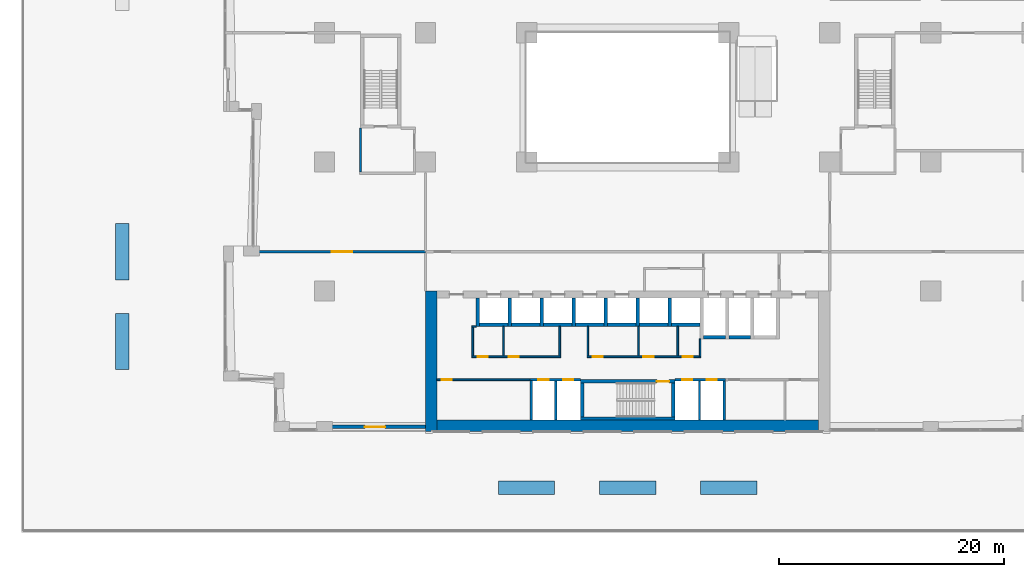
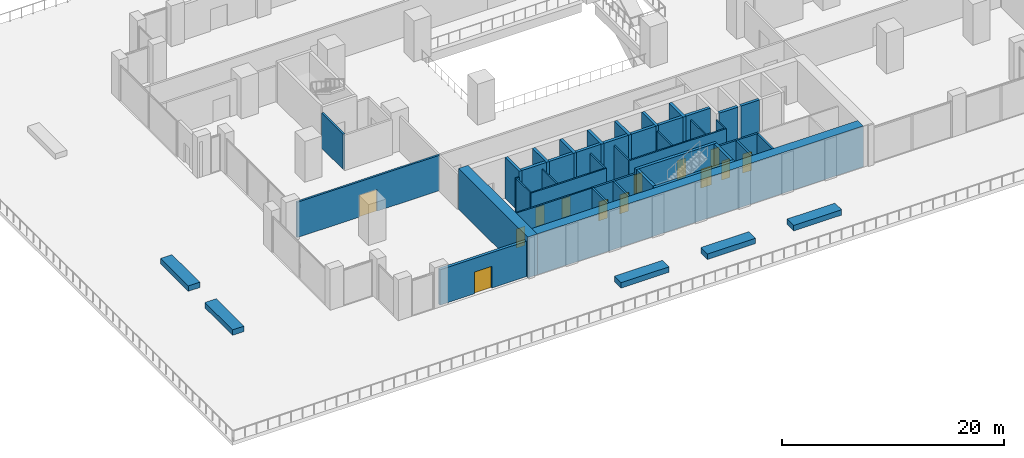
# One storey, part 12 of 19: 47 walls, 13 doors, 13 openings.
"""IFC4 building model written with IfcOpenShell, lengths in metres."""

from ifc_helpers import new_model, si_unit, direction, frame, frame_2d, origin, place, context, subcontext, project, spatial, rectangle, extrude, material, layer, layer_set, type_object, element, fill, save


model = new_model("IFC4")

# Units and contexts
model_context = context("Model", 3, precision=1e-05, world=origin(), true_north=direction((0.0, 1.0)))
body_context = subcontext(model_context, "Body", "Model", "MODEL_VIEW")
ifc_project = project(units=[si_unit("LENGTHUNIT", "METRE"), si_unit("AREAUNIT", "SQUARE_METRE"), si_unit("VOLUMEUNIT", "CUBIC_METRE"), si_unit("PLANEANGLEUNIT", "RADIAN"), si_unit("MASSUNIT", "GRAM", prefix="KILO")], contexts=[model_context])

# Site, building, storey
site_placement = place(None, origin())
site = spatial("IfcSite", under=ifc_project, at=site_placement, CompositionType="ELEMENT")
building_placement = place(site_placement, origin())
building = spatial("IfcBuilding", under=site, at=building_placement, Name="Brigalow Station Residences", CompositionType="ELEMENT")
storey_placement = place(building_placement, frame((0.0, 0.0, 11.0)))
storey = spatial("IfcBuildingStorey", under=building, at=storey_placement, Name="L02", CompositionType="ELEMENT", Elevation=11.0)

# Walls
ifc_material_1 = material(Name="Concrete C80", Category="concrete")
ifc_layer_1 = layer(ifc_material_1, 1.0)
ifc_layer_set_1 = layer_set([ifc_layer_1], Name="CORE SHEAR WALL 1000 C80")
wall_type_1 = type_object("IfcWallType", Name="CORE SHEAR WALL 1000 C80", PredefinedType="SHEAR", material=ifc_layer_set_1)
wall_1_placement = place(storey_placement, frame((18.5, 0.0, 0.0), z_axis=(0.0, 0.0, 1.0), x_axis=(0.0, 1.0, 0.0)))
element("IfcWall", 1, at=wall_1_placement, inside=storey, type_object=wall_type_1, Name="CORE WALL OUT-W L02", PredefinedType="SHEAR", context=body_context, shape_type="SweptSolid", body=[
    extrude(rectangle(XDim=12.5, YDim=1.0, at=frame_2d((6.25, 0.0))), origin(), (0.0, 0.0, 1.0), 4.5),
])
wall_2_placement = place(storey_placement, frame((19.0, 0.5, 0.0), z_axis=(0.0, 0.0, 1.0), x_axis=(1.0, 0.0, 0.0)))
element("IfcWall", 2, at=wall_2_placement, inside=storey, type_object=wall_type_1, Name="CORE WALL OUT-S L02", PredefinedType="SHEAR", context=body_context, shape_type="SweptSolid", body=[
    extrude(rectangle(XDim=34.0, YDim=1.0, at=frame_2d((17.0, 0.0))), origin(), (0.0, 0.0, 1.0), 4.5),
])
ifc_material_2 = material(Name="Concrete C80", Category="concrete")
ifc_layer_2 = layer(ifc_material_2, 0.300048828125)
ifc_layer_set_2 = layer_set([ifc_layer_2], Name="CORE SHEAR WALL 300 C80")
wall_type_2 = type_object("IfcWallType", Name="CORE SHEAR WALL 300 C80", PredefinedType="SHEAR", material=ifc_layer_set_2)
wall_3_placement = place(storey_placement, frame((22.800048828125, 9.5, 0.0), z_axis=(0.0, 0.0, 1.0), x_axis=(1.0, 0.0, 0.0)))
element("IfcWall", 3, at=wall_3_placement, inside=storey, type_object=wall_type_2, Name="CORE WALL SH-P1-S L02", PredefinedType="SHEAR", context=body_context, shape_type="SweptSolid", body=[
    extrude(rectangle(XDim=2.550048828125, YDim=0.300048828125, at=frame_2d((1.27490234375, 0.0))), origin(), (0.0, 0.0, 1.0), 4.5),
])
wall_4_placement = place(storey_placement, frame((22.64990234375, 9.35009765625, 0.0), z_axis=(0.0, 0.0, 1.0), x_axis=(0.0, 1.0, 0.0)))
element("IfcWall", 4, at=wall_4_placement, inside=storey, type_object=wall_type_2, Name="CORE WALL SH-P1-W L02", PredefinedType="SHEAR", context=body_context, shape_type="SweptSolid", body=[
    extrude(rectangle(XDim=2.5498046875, YDim=0.300048828125, at=frame_2d((1.27490234375, 0.0))), origin(), (0.0, 0.0, 1.0), 4.5),
])
wall_5_placement = place(storey_placement, frame((25.64990234375, 9.5, 0.0), z_axis=(0.0, 0.0, 1.0), x_axis=(1.0, 0.0, 0.0)))
element("IfcWall", 5, at=wall_5_placement, inside=storey, type_object=wall_type_2, Name="CORE WALL SH-P2-S L02", PredefinedType="SHEAR", context=body_context, shape_type="SweptSolid", body=[
    extrude(rectangle(XDim=2.550048828125, YDim=0.300048828125, at=frame_2d((1.27490234375, 0.0))), origin(), (0.0, 0.0, 1.0), 4.5),
])
wall_6_placement = place(storey_placement, frame((25.5, 9.35009765625, 0.0), z_axis=(0.0, 0.0, 1.0), x_axis=(0.0, 1.0, 0.0)))
element("IfcWall", 6, at=wall_6_placement, inside=storey, type_object=wall_type_2, Name="CORE WALL SH-P2-W L02", PredefinedType="SHEAR", context=body_context, shape_type="SweptSolid", body=[
    extrude(rectangle(XDim=2.5498046875, YDim=0.300048828125, at=frame_2d((1.27490234375, 0.0))), origin(), (0.0, 0.0, 1.0), 4.5),
])
wall_7_placement = place(storey_placement, frame((28.5, 9.5, 0.0), z_axis=(0.0, 0.0, 1.0), x_axis=(1.0, 0.0, 0.0)))
element("IfcWall", 7, at=wall_7_placement, inside=storey, type_object=wall_type_2, Name="CORE WALL SH-P3-S L02", PredefinedType="SHEAR", context=body_context, shape_type="SweptSolid", body=[
    extrude(rectangle(XDim=2.550048828125, YDim=0.300048828125, at=frame_2d((1.27490234375, 0.0))), origin(), (0.0, 0.0, 1.0), 4.5),
])
for number, where, z_axis, x_axis, name in (
    (8, (28.35009765625, 9.35009765625, 0.0), (0.0, 0.0, 1.0), (0.0, 1.0, 0.0), "CORE WALL SH-P3-W L02"),
    (9, (31.35009765625, 9.5, 0.0), (0.0, 0.0, 1.0), (1.0, 0.0, 0.0), "CORE WALL SH-P4-S L02"),
    (10, (31.199951171875, 9.35009765625, 0.0), (0.0, 0.0, 1.0), (0.0, 1.0, 0.0), "CORE WALL SH-P4-W L02"),
):
    element("IfcWall", number, at=place(storey_placement, frame(where, z_axis=z_axis, x_axis=x_axis)), inside=storey, type_object=wall_type_2, Name=name, PredefinedType="SHEAR", context=body_context, shape_type="SweptSolid", body=[
        extrude(rectangle(XDim=2.5498046875, YDim=0.300048828125, at=frame_2d((1.27490234375, 0.0))), origin(), (0.0, 0.0, 1.0), 4.5),
    ])
wall_8_placement = place(storey_placement, frame((34.199951171875, 9.5, 0.0), z_axis=(0.0, 0.0, 1.0), x_axis=(1.0, 0.0, 0.0)))
element("IfcWall", 11, at=wall_8_placement, inside=storey, type_object=wall_type_2, Name="CORE WALL SH-P5-S L02", PredefinedType="SHEAR", context=body_context, shape_type="SweptSolid", body=[
    extrude(rectangle(XDim=2.550048828125, YDim=0.300048828125, at=frame_2d((1.27490234375, 0.0))), origin(), (0.0, 0.0, 1.0), 4.5),
])
wall_9_placement = place(storey_placement, frame((34.050048828125, 9.35009765625, 0.0), z_axis=(0.0, 0.0, 1.0), x_axis=(0.0, 1.0, 0.0)))
element("IfcWall", 12, at=wall_9_placement, inside=storey, type_object=wall_type_2, Name="CORE WALL SH-P5-W L02", PredefinedType="SHEAR", context=body_context, shape_type="SweptSolid", body=[
    extrude(rectangle(XDim=2.5498046875, YDim=0.300048828125, at=frame_2d((1.27490234375, 0.0))), origin(), (0.0, 0.0, 1.0), 4.5),
])
wall_10_placement = place(storey_placement, frame((37.050048828125, 9.5, 0.0), z_axis=(0.0, 0.0, 1.0), x_axis=(1.0, 0.0, 0.0)))
element("IfcWall", 13, at=wall_10_placement, inside=storey, type_object=wall_type_2, Name="CORE WALL SH-X1-S L02", PredefinedType="SHEAR", context=body_context, shape_type="SweptSolid", body=[
    extrude(rectangle(XDim=2.550048828125, YDim=0.300048828125, at=frame_2d((1.27490234375, 0.0))), origin(), (0.0, 0.0, 1.0), 4.5),
])
wall_11_placement = place(storey_placement, frame((36.89990234375, 9.35009765625, 0.0), z_axis=(0.0, 0.0, 1.0), x_axis=(0.0, 1.0, 0.0)))
element("IfcWall", 14, at=wall_11_placement, inside=storey, type_object=wall_type_2, Name="CORE WALL SH-X1-W L02", PredefinedType="SHEAR", context=body_context, shape_type="SweptSolid", body=[
    extrude(rectangle(XDim=2.5498046875, YDim=0.300048828125, at=frame_2d((1.27490234375, 0.0))), origin(), (0.0, 0.0, 1.0), 4.5),
])
wall_12_placement = place(storey_placement, frame((39.89990234375, 9.5, 0.0), z_axis=(0.0, 0.0, 1.0), x_axis=(1.0, 0.0, 0.0)))
element("IfcWall", 15, at=wall_12_placement, inside=storey, type_object=wall_type_2, Name="CORE WALL SH-X2-S L02", PredefinedType="SHEAR", context=body_context, shape_type="SweptSolid", body=[
    extrude(rectangle(XDim=2.550048828125, YDim=0.300048828125, at=frame_2d((1.27490234375, 0.0))), origin(), (0.0, 0.0, 1.0), 4.5),
])
wall_13_placement = place(storey_placement, frame((39.75, 9.35009765625, 0.0), z_axis=(0.0, 0.0, 1.0), x_axis=(0.0, 1.0, 0.0)))
element("IfcWall", 16, at=wall_13_placement, inside=storey, type_object=wall_type_2, Name="CORE WALL SH-X2-W L02", PredefinedType="SHEAR", context=body_context, shape_type="SweptSolid", body=[
    extrude(rectangle(XDim=2.5498046875, YDim=0.300048828125, at=frame_2d((1.27490234375, 0.0))), origin(), (0.0, 0.0, 1.0), 4.5),
])
for number, where, z_axis, x_axis, name in (
    (17, (42.75, 8.39990234375, 0.0), (0.0, 0.0, 1.0), (1.0, 0.0, 0.0), "CORE WALL SH-FF1-S L02"),
    (18, (45.0, 8.39990234375, 0.0), (0.0, 0.0, 1.0), (1.0, 0.0, 0.0), "CORE WALL SH-FF2-S L02"),
):
    element("IfcWall", number, at=place(storey_placement, frame(where, z_axis=z_axis, x_axis=x_axis)), inside=storey, type_object=wall_type_2, Name=name, PredefinedType="SHEAR", context=body_context, shape_type="SweptSolid", body=[
        extrude(rectangle(XDim=1.949951171875, YDim=0.300048828125, at=frame_2d((0.97509765625, 0.0))), origin(), (0.0, 0.0, 1.0), 4.5),
    ])
wall_14_placement = place(storey_placement, frame((31.800048828125, 1.14990234375, 0.0), z_axis=(0.0, 0.0, 1.0), x_axis=(1.0, 0.0, 0.0)))
element("IfcWall", 19, at=wall_14_placement, inside=storey, type_object=wall_type_2, Name="CORE WALL ST-S2-S L02", PredefinedType="SHEAR", context=body_context, shape_type="SweptSolid", body=[
    extrude(rectangle(XDim=8.39990234375, YDim=0.300048828125, at=frame_2d((4.199951171875, 0.0))), origin(), (0.0, 0.0, 1.0), 4.5),
])

# Wall, opening, door
wall_15_placement = place(storey_placement, frame((31.800048828125, 4.449951171875, 0.0), z_axis=(0.0, 0.0, 1.0), x_axis=(1.0, 0.0, 0.0)))
wall_15 = element("IfcWall", 20, at=wall_15_placement, inside=storey, type_object=wall_type_2, Name="CORE WALL ST-S2-N L02", PredefinedType="SHEAR", context=body_context, shape_type="SweptSolid", body=[
    extrude(rectangle(XDim=8.39990234375, YDim=0.300048828125, at=frame_2d((4.199951171875, 0.0))), origin(), (0.0, 0.0, 1.0), 4.5),
])
opening_1_placement = place(wall_15_placement, frame((6.800048828125, 0.0, 0.0)))
opening_1 = element("IfcOpeningElement", 21, at=opening_1_placement, cuts=wall_15, Name="Opening D-5001", PredefinedType="OPENING", context=body_context, shape_type="SweptSolid", body=[
    extrude(rectangle(XDim=1.10009765625, YDim=2.10009765625, at=frame_2d((0.550048828125, 1.050048828125))), frame((0.0, 0.16015625, 0.0), z_axis=(0.0, -1.0, 0.0), x_axis=(1.0, 0.0, 0.0)), (0.0, 0.0, 1.0), 0.320068359375),
])
ifc_material_3 = material(Name="Steel fire door leaf in steel frame", Category="steel")
door_type_1 = type_object("IfcDoorType", Name="STAIR DOOR 1100 x 2100 FD60S", OperationType="SINGLE_SWING_LEFT", PredefinedType="DOOR", material=ifc_material_3)
door_1_placement = place(opening_1_placement, frame((1.10009765625, 0.0, 0.0), z_axis=(0.0, 0.0, 1.0), x_axis=(-1.0, 0.0, 0.0)))
door_1 = element("IfcDoor", 22, at=door_1_placement, inside=storey, type_object=door_type_1, Name="D-5001", OperationType="SINGLE_SWING_LEFT", OverallHeight=2.10009765625, OverallWidth=1.10009765625, PredefinedType="DOOR", context=body_context, shape_type="SweptSolid", body=[
    extrude(rectangle(XDim=1.10009765625, YDim=2.10009765625, at=frame_2d((0.550048828125, 1.050048828125))), frame((0.0, 0.02490234375, 0.0), z_axis=(0.0, -1.0, 0.0), x_axis=(1.0, 0.0, 0.0)), (0.0, 0.0, 1.0), 0.050048828125),
])
fill(opening_1, door_1)

# Walls
for number, where, z_axis, x_axis, name in (
    (23, (31.949951171875, 1.300048828125, 0.0), (0.0, 0.0, 1.0), (0.0, 1.0, 0.0), "CORE WALL ST-S2-W L02"),
    (24, (40.050048828125, 1.300048828125, 0.0), (0.0, 0.0, 1.0), (0.0, 1.0, 0.0), "CORE WALL ST-S2-E L02"),
):
    element("IfcWall", number, at=place(storey_placement, frame(where, z_axis=z_axis, x_axis=x_axis)), inside=storey, type_object=wall_type_2, Name=name, PredefinedType="SHEAR", context=body_context, shape_type="SweptSolid", body=[
        extrude(rectangle(XDim=3.0, YDim=0.300048828125, at=frame_2d((1.5, 0.0))), origin(), (0.0, 0.0, 1.0), 4.5),
    ])

# Wall, opening, door
ifc_material_4 = material(Name="Glass and aluminium shopfront on a masonry base", Category="masonry")
ifc_layer_3 = layer(ifc_material_4, 0.300048828125)
ifc_layer_set_3 = layer_set([ifc_layer_3], Name="ENTRANCE INFILL 300")
wall_type_3 = type_object("IfcWallType", Name="ENTRANCE INFILL 300", PredefinedType="SOLIDWALL", material=ifc_layer_set_3)
wall_16_placement = place(storey_placement, frame((9.0, 0.39990234375, 0.0), z_axis=(0.0, 0.0, 1.0), x_axis=(1.0, 0.0, 0.0)))
wall_16 = element("IfcWall", 25, at=wall_16_placement, inside=storey, type_object=wall_type_3, Name="Entrance Infill 300 Spa / TERRACE", PredefinedType="SOLIDWALL", context=body_context, shape_type="SweptSolid", body=[
    extrude(rectangle(XDim=9.0, YDim=0.300048828125, at=frame_2d((4.5, 0.0))), origin(), (0.0, 0.0, 1.0), 3.89990234375),
])
opening_2_placement = place(wall_16_placement, frame((3.60009765625, 0.0, 0.0)))
opening_2 = element("IfcOpeningElement", 26, at=opening_2_placement, cuts=wall_16, Name="Opening D-7406", PredefinedType="OPENING", context=body_context, shape_type="SweptSolid", body=[
    extrude(rectangle(XDim=1.800048828125, YDim=2.39990234375, at=frame_2d((0.89990234375, 1.199951171875))), frame((0.0, 0.16015625, 0.0), z_axis=(0.0, -1.0, 0.0), x_axis=(1.0, 0.0, 0.0)), (0.0, 0.0, 1.0), 0.320068359375),
])
ifc_material_5 = material(Name="Timber door leaves in steel frame", Category="steel")
door_type_2 = type_object("IfcDoorType", Name="DOOR DOUBLE 1800", OperationType="DOUBLE_DOOR_SINGLE_SWING", PredefinedType="DOOR", material=ifc_material_5)
door_2_placement = place(opening_2_placement, origin())
door_2 = element("IfcDoor", 27, at=door_2_placement, inside=storey, type_object=door_type_2, Name="Spa terrace door", OperationType="DOUBLE_DOOR_SINGLE_SWING", OverallHeight=2.39990234375, OverallWidth=1.800048828125, PredefinedType="DOOR", context=body_context, shape_type="SweptSolid", body=[
    extrude(rectangle(XDim=1.800048828125, YDim=2.39990234375, at=frame_2d((0.89990234375, 1.199951171875))), frame((0.0, 0.02490234375, 0.0), z_axis=(0.0, -1.0, 0.0), x_axis=(1.0, 0.0, 0.0)), (0.0, 0.0, 1.0), 0.050048828125),
])
fill(opening_2, door_2)

# Wall, openings, doors
ifc_material_6 = material(Name="Concrete blockwork", Category="masonry")
ifc_layer_4 = layer(ifc_material_6, 0.199951171875)
ifc_layer_set_4 = layer_set([ifc_layer_4], Name="FIRE RATED CORE PARTITION 200")
wall_type_4 = type_object("IfcWallType", Name="FIRE RATED CORE PARTITION 200", PredefinedType="PARTITIONING", material=ifc_layer_set_4)
wall_17_placement = place(storey_placement, frame((27.300048828125, 4.60009765625, 0.0), z_axis=(0.0, 0.0, 1.0), x_axis=(1.0, 0.0, 0.0)))
wall_17 = element("IfcWall", 28, at=wall_17_placement, inside=storey, type_object=wall_type_4, Name="PW-5017", PredefinedType="PARTITIONING", context=body_context, shape_type="SweptSolid", body=[
    extrude(rectangle(XDim=4.5, YDim=0.199951171875, at=frame_2d((2.25, 0.0))), origin(), (0.0, 0.0, 1.0), 3.89990234375),
])
opening_3_placement = place(wall_17_placement, frame((0.75, 0.0, 0.0)))
opening_3 = element("IfcOpeningElement", 29, at=opening_3_placement, cuts=wall_17, Name="Opening D-5007", PredefinedType="OPENING", context=body_context, shape_type="SweptSolid", body=[
    extrude(rectangle(XDim=0.89990234375, YDim=2.10009765625, at=frame_2d((0.449951171875, 1.050048828125))), frame((0.0, 0.10986328125, 0.0), z_axis=(0.0, -1.0, 0.0), x_axis=(1.0, 0.0, 0.0)), (0.0, 0.0, 1.0), 0.219970703125),
])
opening_4_placement = place(wall_17_placement, frame((2.949951171875, 0.0, 0.0)))
opening_4 = element("IfcOpeningElement", 30, at=opening_4_placement, cuts=wall_17, Name="Opening D-5008", PredefinedType="OPENING", context=body_context, shape_type="SweptSolid", body=[
    extrude(rectangle(XDim=0.89990234375, YDim=2.10009765625, at=frame_2d((0.449951171875, 1.050048828125))), frame((0.0, 0.10986328125, 0.0), z_axis=(0.0, -1.0, 0.0), x_axis=(1.0, 0.0, 0.0)), (0.0, 0.0, 1.0), 0.219970703125),
])
ifc_material_7 = material(Name="Steel fire door leaf in steel frame", Category="steel")
door_type_3 = type_object("IfcDoorType", Name="RISER ACCESS DOOR 900 x 2100 FD120", OperationType="SINGLE_SWING_LEFT", PredefinedType="DOOR", material=ifc_material_7)
door_3_placement = place(opening_3_placement, frame((0.89990234375, 0.0, 0.0), z_axis=(0.0, 0.0, 1.0), x_axis=(-1.0, 0.0, 0.0)))
door_3 = element("IfcDoor", 31, at=door_3_placement, inside=storey, type_object=door_type_3, Name="D-5007", OperationType="SINGLE_SWING_RIGHT", OverallHeight=2.10009765625, OverallWidth=0.89990234375, PredefinedType="DOOR", context=body_context, shape_type="SweptSolid", body=[
    extrude(rectangle(XDim=0.89990234375, YDim=2.10009765625, at=frame_2d((0.449951171875, 1.050048828125))), frame((0.0, 0.02490234375, 0.0), z_axis=(0.0, -1.0, 0.0), x_axis=(1.0, 0.0, 0.0)), (0.0, 0.0, 1.0), 0.050048828125),
])
fill(opening_3, door_3)
door_4_placement = place(opening_4_placement, frame((0.89990234375, 0.0, 0.0), z_axis=(0.0, 0.0, 1.0), x_axis=(-1.0, 0.0, 0.0)))
door_4 = element("IfcDoor", 32, at=door_4_placement, inside=storey, type_object=door_type_3, Name="D-5008", OperationType="SINGLE_SWING_RIGHT", OverallHeight=2.10009765625, OverallWidth=0.89990234375, PredefinedType="DOOR", context=body_context, shape_type="SweptSolid", body=[
    extrude(rectangle(XDim=0.89990234375, YDim=2.10009765625, at=frame_2d((0.449951171875, 1.050048828125))), frame((0.0, 0.02490234375, 0.0), z_axis=(0.0, -1.0, 0.0), x_axis=(1.0, 0.0, 0.0)), (0.0, 0.0, 1.0), 0.050048828125),
])
fill(opening_4, door_4)

wall_18_placement = place(storey_placement, frame((40.199951171875, 4.60009765625, 0.0), z_axis=(0.0, 0.0, 1.0), x_axis=(1.0, 0.0, 0.0)))
wall_18 = element("IfcWall", 33, at=wall_18_placement, inside=storey, type_object=wall_type_4, Name="PW-5018", PredefinedType="PARTITIONING", context=body_context, shape_type="SweptSolid", body=[
    extrude(rectangle(XDim=4.5, YDim=0.199951171875, at=frame_2d((2.25, 0.0))), origin(), (0.0, 0.0, 1.0), 3.89990234375),
])
opening_5_placement = place(wall_18_placement, frame((0.64990234375, 0.0, 0.0)))
opening_5 = element("IfcOpeningElement", 34, at=opening_5_placement, cuts=wall_18, Name="Opening D-5009", PredefinedType="OPENING", context=body_context, shape_type="SweptSolid", body=[
    extrude(rectangle(XDim=0.89990234375, YDim=2.10009765625, at=frame_2d((0.449951171875, 1.050048828125))), frame((0.0, 0.10986328125, 0.0), z_axis=(0.0, -1.0, 0.0), x_axis=(1.0, 0.0, 0.0)), (0.0, 0.0, 1.0), 0.219970703125),
])
opening_6_placement = place(wall_18_placement, frame((2.85009765625, 0.0, 0.0)))
opening_6 = element("IfcOpeningElement", 35, at=opening_6_placement, cuts=wall_18, Name="Opening D-5010", PredefinedType="OPENING", context=body_context, shape_type="SweptSolid", body=[
    extrude(rectangle(XDim=0.89990234375, YDim=2.10009765625, at=frame_2d((0.449951171875, 1.050048828125))), frame((0.0, 0.10986328125, 0.0), z_axis=(0.0, -1.0, 0.0), x_axis=(1.0, 0.0, 0.0)), (0.0, 0.0, 1.0), 0.219970703125),
])
door_5_placement = place(opening_5_placement, frame((0.89990234375, 0.0, 0.0), z_axis=(0.0, 0.0, 1.0), x_axis=(-1.0, 0.0, 0.0)))
door_5 = element("IfcDoor", 36, at=door_5_placement, inside=storey, type_object=door_type_3, Name="D-5009", OperationType="SINGLE_SWING_LEFT", OverallHeight=2.10009765625, OverallWidth=0.89990234375, PredefinedType="DOOR", context=body_context, shape_type="SweptSolid", body=[
    extrude(rectangle(XDim=0.89990234375, YDim=2.10009765625, at=frame_2d((0.449951171875, 1.050048828125))), frame((0.0, 0.02490234375, 0.0), z_axis=(0.0, -1.0, 0.0), x_axis=(1.0, 0.0, 0.0)), (0.0, 0.0, 1.0), 0.050048828125),
])
fill(opening_5, door_5)
door_6_placement = place(opening_6_placement, frame((0.89990234375, 0.0, 0.0), z_axis=(0.0, 0.0, 1.0), x_axis=(-1.0, 0.0, 0.0)))
door_6 = element("IfcDoor", 37, at=door_6_placement, inside=storey, type_object=door_type_3, Name="D-5010", OperationType="SINGLE_SWING_LEFT", OverallHeight=2.10009765625, OverallWidth=0.89990234375, PredefinedType="DOOR", context=body_context, shape_type="SweptSolid", body=[
    extrude(rectangle(XDim=0.89990234375, YDim=2.10009765625, at=frame_2d((0.449951171875, 1.050048828125))), frame((0.0, 0.02490234375, 0.0), z_axis=(0.0, -1.0, 0.0), x_axis=(1.0, 0.0, 0.0)), (0.0, 0.0, 1.0), 0.050048828125),
])
fill(opening_6, door_6)

# Walls
wall_19_placement = place(storey_placement, frame((27.39990234375, 1.0, 0.0), z_axis=(0.0, 0.0, 1.0), x_axis=(0.0, 1.0, 0.0)))
element("IfcWall", 38, at=wall_19_placement, inside=storey, type_object=wall_type_4, Name="PW-5027", PredefinedType="PARTITIONING", context=body_context, shape_type="SweptSolid", body=[
    extrude(rectangle(XDim=3.52490234375, YDim=0.199951171875, at=frame_2d((1.762451171875, 0.0))), origin(), (0.0, 0.0, 1.0), 3.89990234375),
])
for number, where, z_axis, x_axis, name in (
    (39, (29.60009765625, 1.0, 0.0), (0.0, 0.0, 1.0), (0.0, 1.0, 0.0), "PW-5006"),
    (40, (42.39990234375, 1.0, 0.0), (0.0, 0.0, 1.0), (0.0, 1.0, 0.0), "PW-5007"),
    (41, (44.60009765625, 1.0, 0.0), (0.0, 0.0, 1.0), (0.0, 1.0, 0.0), "PW-5008"),
):
    element("IfcWall", number, at=place(storey_placement, frame(where, z_axis=z_axis, x_axis=x_axis)), inside=storey, type_object=wall_type_4, Name=name, PredefinedType="PARTITIONING", context=body_context, shape_type="SweptSolid", body=[
        extrude(rectangle(XDim=3.5, YDim=0.199951171875, at=frame_2d((1.75, 0.0))), origin(), (0.0, 0.0, 1.0), 3.89990234375),
    ])
wall_20_placement = place(storey_placement, frame((12.199951171875, 23.10009765625, 0.0), z_axis=(0.0, 0.0, 1.0), x_axis=(0.0, 1.0, 0.0)))
element("IfcWall", 42, at=wall_20_placement, inside=storey, type_object=wall_type_4, Name="PW-5034", PredefinedType="PARTITIONING", context=body_context, shape_type="SweptSolid", body=[
    extrude(rectangle(XDim=3.89990234375, YDim=0.199951171875, at=frame_2d((1.949951171875, 0.0))), origin(), (0.0, 0.0, 1.0), 3.89990234375),
])

# Wall, opening, door
ifc_material_8 = material(Name="Plasterboard on steel studs with acoustic insulation", Category="steel")
ifc_layer_5 = layer(ifc_material_8, 0.199951171875)
ifc_layer_set_5 = layer_set([ifc_layer_5], Name="PARTITION 200")
wall_type_5 = type_object("IfcWallType", Name="PARTITION 200", PredefinedType="PARTITIONING", material=ifc_layer_set_5)
wall_21_placement = place(storey_placement, frame((3.1240234375, 16.0, 0.0), z_axis=(0.0, 0.0, 1.0), x_axis=(1.0, 0.0, 0.0)))
wall_21 = element("IfcWall", 43, at=wall_21_placement, inside=storey, type_object=wall_type_5, Name="Partition 200 Gymnasium / Spa", PredefinedType="PARTITIONING", context=body_context, shape_type="SweptSolid", body=[
    extrude(rectangle(XDim=14.8759765625, YDim=0.199951171875, at=frame_2d((7.43798828125, 0.0))), origin(), (0.0, 0.0, 1.0), 3.89990234375),
])
opening_7_placement = place(wall_21_placement, frame((6.5380859375, 0.0, 0.0)))
opening_7 = element("IfcOpeningElement", 44, at=opening_7_placement, cuts=wall_21, Name="Opening D-7417", PredefinedType="OPENING", context=body_context, shape_type="SweptSolid", body=[
    extrude(rectangle(XDim=1.800048828125, YDim=2.39990234375, at=frame_2d((0.89990234375, 1.199951171875))), frame((0.0, 0.10986328125, 0.0), z_axis=(0.0, -1.0, 0.0), x_axis=(1.0, 0.0, 0.0)), (0.0, 0.0, 1.0), 0.219970703125),
])
door_7_placement = place(opening_7_placement, origin())
door_7 = element("IfcDoor", 45, at=door_7_placement, inside=storey, type_object=door_type_2, Name="Spa door", OperationType="DOUBLE_DOOR_SINGLE_SWING", OverallHeight=2.39990234375, OverallWidth=1.800048828125, PredefinedType="DOOR", context=body_context, shape_type="SweptSolid", body=[
    extrude(rectangle(XDim=1.800048828125, YDim=2.39990234375, at=frame_2d((0.89990234375, 1.199951171875))), frame((0.0, 0.02490234375, 0.0), z_axis=(0.0, -1.0, 0.0), x_axis=(1.0, 0.0, 0.0)), (0.0, 0.0, 1.0), 0.050048828125),
])
fill(opening_7, door_7)

# Walls
ifc_material_9 = material(Name="Concrete C50", Category="concrete")
ifc_layer_6 = layer(ifc_material_9, 1.199951171875)
ifc_layer_set_6 = layer_set([ifc_layer_6], Name="PLANTER 1200")
wall_type_6 = type_object("IfcWallType", Name="PLANTER 1200", PredefinedType="USERDEFINED", material=ifc_layer_set_6)
for number, where, z_axis, x_axis, name in (
    (46, (24.5, -5.0, 0.0), (0.0, 0.0, 1.0), (1.0, 0.0, 0.0), "Planter TS1"),
    (47, (33.5, -5.0, 0.0), (0.0, 0.0, 1.0), (1.0, 0.0, 0.0), "Planter TS2"),
    (48, (42.5, -5.0, 0.0), (0.0, 0.0, 1.0), (1.0, 0.0, 0.0), "Planter TS3"),
    (49, (-9.0, 5.5, 0.0), (0.0, 0.0, 1.0), (0.0, 1.0, 0.0), "Planter TW1"),
    (50, (-9.0, 13.5, 0.0), (0.0, 0.0, 1.0), (0.0, 1.0, 0.0), "Planter TW2"),
):
    element("IfcWall", number, at=place(storey_placement, frame(where, z_axis=z_axis, x_axis=x_axis)), inside=storey, type_object=wall_type_6, Name=name, ObjectType="PLANTER", PredefinedType="USERDEFINED", context=body_context, shape_type="SweptSolid", body=[
        extrude(rectangle(XDim=5.0, YDim=1.199951171875, at=frame_2d((2.5, 0.0))), origin(), (0.0, 0.0, 1.0), 0.60009765625),
    ])

# Wall, opening, door
ifc_material_10 = material(Name="Plasterboard on steel studs", Category="steel")
ifc_layer_7 = layer(ifc_material_10, 0.14990234375)
ifc_layer_set_7 = layer_set([ifc_layer_7], Name="SERVICE ROOM PARTITION 150")
wall_type_7 = type_object("IfcWallType", Name="SERVICE ROOM PARTITION 150", PredefinedType="PARTITIONING", material=ifc_layer_set_7)
wall_22_placement = place(storey_placement, frame((19.0, 4.60009765625, 0.0), z_axis=(0.0, 0.0, 1.0), x_axis=(1.0, 0.0, 0.0)))
wall_22 = element("IfcWall", 51, at=wall_22_placement, inside=storey, type_object=wall_type_7, Name="PW-5019", PredefinedType="PARTITIONING", context=body_context, shape_type="SweptSolid", body=[
    extrude(rectangle(XDim=8.300048828125, YDim=0.14990234375, at=frame_2d((4.14990234375, 0.0))), origin(), (0.0, 0.0, 1.0), 3.89990234375),
])
opening_8_placement = place(wall_22_placement, frame((0.449951171875, 0.0, 0.0)))
opening_8 = element("IfcOpeningElement", 52, at=opening_8_placement, cuts=wall_22, Name="Opening D-5025", PredefinedType="OPENING", context=body_context, shape_type="SweptSolid", body=[
    extrude(rectangle(XDim=0.89990234375, YDim=2.10009765625, at=frame_2d((0.449951171875, 1.050048828125))), frame((0.0, 0.0849609375, 0.0), z_axis=(0.0, -1.0, 0.0), x_axis=(1.0, 0.0, 0.0)), (0.0, 0.0, 1.0), 0.169921875),
])
ifc_material_11 = material(Name="Steel door leaf in steel frame", Category="steel")
door_type_4 = type_object("IfcDoorType", Name="SERVICE ROOM DOOR 900 x 2100 FD60", OperationType="SINGLE_SWING_LEFT", PredefinedType="DOOR", material=ifc_material_11)
door_8_placement = place(opening_8_placement, frame((0.89990234375, 0.0, 0.0), z_axis=(0.0, 0.0, 1.0), x_axis=(-1.0, 0.0, 0.0)))
door_8 = element("IfcDoor", 53, at=door_8_placement, inside=storey, type_object=door_type_4, Name="D-5025", OperationType="SINGLE_SWING_RIGHT", OverallHeight=2.10009765625, OverallWidth=0.89990234375, PredefinedType="DOOR", context=body_context, shape_type="SweptSolid", body=[
    extrude(rectangle(XDim=0.89990234375, YDim=2.10009765625, at=frame_2d((0.449951171875, 1.050048828125))), frame((0.0, 0.02490234375, 0.0), z_axis=(0.0, -1.0, 0.0), x_axis=(1.0, 0.0, 0.0)), (0.0, 0.0, 1.0), 0.050048828125),
])
fill(opening_8, door_8)

# Wall, openings, doors
wall_23_placement = place(storey_placement, frame((22.125, 6.64990234375, 0.0), z_axis=(0.0, 0.0, 1.0), x_axis=(1.0, 0.0, 0.0)))
wall_23 = element("IfcWall", 54, at=wall_23_placement, inside=storey, type_object=wall_type_7, Name="PW-5048", PredefinedType="PARTITIONING", context=body_context, shape_type="SweptSolid", body=[
    extrude(rectangle(XDim=7.89990234375, YDim=0.14990234375, at=frame_2d((3.949951171875, 0.0))), origin(), (0.0, 0.0, 1.0), 3.89990234375),
])
opening_9_placement = place(wall_23_placement, frame((0.52490234375, 0.0, 0.0)))
opening_9 = element("IfcOpeningElement", 55, at=opening_9_placement, cuts=wall_23, Name="Opening D-5021", PredefinedType="OPENING", context=body_context, shape_type="SweptSolid", body=[
    extrude(rectangle(XDim=0.89990234375, YDim=2.10009765625, at=frame_2d((0.449951171875, 1.050048828125))), frame((0.0, 0.0849609375, 0.0), z_axis=(0.0, -1.0, 0.0), x_axis=(1.0, 0.0, 0.0)), (0.0, 0.0, 1.0), 0.169921875),
])
opening_10_placement = place(wall_23_placement, frame((3.27490234375, 0.0, 0.0)))
opening_10 = element("IfcOpeningElement", 56, at=opening_10_placement, cuts=wall_23, Name="Opening D-5037", PredefinedType="OPENING", context=body_context, shape_type="SweptSolid", body=[
    extrude(rectangle(XDim=0.89990234375, YDim=2.10009765625, at=frame_2d((0.449951171875, 1.050048828125))), frame((0.0, 0.0849609375, 0.0), z_axis=(0.0, -1.0, 0.0), x_axis=(1.0, 0.0, 0.0)), (0.0, 0.0, 1.0), 0.169921875),
])
door_9_placement = place(opening_9_placement, origin())
door_9 = element("IfcDoor", 57, at=door_9_placement, inside=storey, type_object=door_type_4, Name="D-5021", OperationType="SINGLE_SWING_LEFT", OverallHeight=2.10009765625, OverallWidth=0.89990234375, PredefinedType="DOOR", context=body_context, shape_type="SweptSolid", body=[
    extrude(rectangle(XDim=0.89990234375, YDim=2.10009765625, at=frame_2d((0.449951171875, 1.050048828125))), frame((0.0, 0.02490234375, 0.0), z_axis=(0.0, -1.0, 0.0), x_axis=(1.0, 0.0, 0.0)), (0.0, 0.0, 1.0), 0.050048828125),
])
fill(opening_9, door_9)
door_10_placement = place(opening_10_placement, origin())
door_10 = element("IfcDoor", 58, at=door_10_placement, inside=storey, type_object=door_type_4, Name="D-5037", OperationType="SINGLE_SWING_LEFT", OverallHeight=2.10009765625, OverallWidth=0.89990234375, PredefinedType="DOOR", context=body_context, shape_type="SweptSolid", body=[
    extrude(rectangle(XDim=0.89990234375, YDim=2.10009765625, at=frame_2d((0.449951171875, 1.050048828125))), frame((0.0, 0.02490234375, 0.0), z_axis=(0.0, -1.0, 0.0), x_axis=(1.0, 0.0, 0.0)), (0.0, 0.0, 1.0), 0.050048828125),
])
fill(opening_10, door_10)

wall_24_placement = place(storey_placement, frame((32.375, 6.64990234375, 0.0), z_axis=(0.0, 0.0, 1.0), x_axis=(1.0, 0.0, 0.0)))
wall_24 = element("IfcWall", 59, at=wall_24_placement, inside=storey, type_object=wall_type_7, Name="PW-5049", PredefinedType="PARTITIONING", context=body_context, shape_type="SweptSolid", body=[
    extrude(rectangle(XDim=10.14990234375, YDim=0.14990234375, at=frame_2d((5.074951171875, 0.0))), origin(), (0.0, 0.0, 1.0), 3.89990234375),
])
opening_11_placement = place(wall_24_placement, frame((0.52490234375, 0.0, 0.0)))
opening_11 = element("IfcOpeningElement", 60, at=opening_11_placement, cuts=wall_24, Name="Opening D-5038", PredefinedType="OPENING", context=body_context, shape_type="SweptSolid", body=[
    extrude(rectangle(XDim=0.89990234375, YDim=2.10009765625, at=frame_2d((0.449951171875, 1.050048828125))), frame((0.0, 0.0849609375, 0.0), z_axis=(0.0, -1.0, 0.0), x_axis=(1.0, 0.0, 0.0)), (0.0, 0.0, 1.0), 0.169921875),
])
opening_12_placement = place(wall_24_placement, frame((5.02490234375, 0.0, 0.0)))
opening_12 = element("IfcOpeningElement", 61, at=opening_12_placement, cuts=wall_24, Name="Opening D-5039", PredefinedType="OPENING", context=body_context, shape_type="SweptSolid", body=[
    extrude(rectangle(XDim=0.89990234375, YDim=2.10009765625, at=frame_2d((0.449951171875, 1.050048828125))), frame((0.0, 0.0849609375, 0.0), z_axis=(0.0, -1.0, 0.0), x_axis=(1.0, 0.0, 0.0)), (0.0, 0.0, 1.0), 0.169921875),
])
opening_13_placement = place(wall_24_placement, frame((8.52490234375, 0.0, 0.0)))
opening_13 = element("IfcOpeningElement", 62, at=opening_13_placement, cuts=wall_24, Name="Opening D-5034", PredefinedType="OPENING", context=body_context, shape_type="SweptSolid", body=[
    extrude(rectangle(XDim=0.89990234375, YDim=2.10009765625, at=frame_2d((0.449951171875, 1.050048828125))), frame((0.0, 0.0849609375, 0.0), z_axis=(0.0, -1.0, 0.0), x_axis=(1.0, 0.0, 0.0)), (0.0, 0.0, 1.0), 0.169921875),
])
door_11_placement = place(opening_11_placement, origin())
door_11 = element("IfcDoor", 63, at=door_11_placement, inside=storey, type_object=door_type_4, Name="D-5038", OperationType="SINGLE_SWING_LEFT", OverallHeight=2.10009765625, OverallWidth=0.89990234375, PredefinedType="DOOR", context=body_context, shape_type="SweptSolid", body=[
    extrude(rectangle(XDim=0.89990234375, YDim=2.10009765625, at=frame_2d((0.449951171875, 1.050048828125))), frame((0.0, 0.02490234375, 0.0), z_axis=(0.0, -1.0, 0.0), x_axis=(1.0, 0.0, 0.0)), (0.0, 0.0, 1.0), 0.050048828125),
])
fill(opening_11, door_11)
door_12_placement = place(opening_12_placement, origin())
door_12 = element("IfcDoor", 64, at=door_12_placement, inside=storey, type_object=door_type_4, Name="D-5039", OperationType="SINGLE_SWING_LEFT", OverallHeight=2.10009765625, OverallWidth=0.89990234375, PredefinedType="DOOR", context=body_context, shape_type="SweptSolid", body=[
    extrude(rectangle(XDim=0.89990234375, YDim=2.10009765625, at=frame_2d((0.449951171875, 1.050048828125))), frame((0.0, 0.02490234375, 0.0), z_axis=(0.0, -1.0, 0.0), x_axis=(1.0, 0.0, 0.0)), (0.0, 0.0, 1.0), 0.050048828125),
])
fill(opening_12, door_12)
door_13_placement = place(opening_13_placement, origin())
door_13 = element("IfcDoor", 65, at=door_13_placement, inside=storey, type_object=door_type_4, Name="D-5034", OperationType="SINGLE_SWING_LEFT", OverallHeight=2.10009765625, OverallWidth=0.89990234375, PredefinedType="DOOR", context=body_context, shape_type="SweptSolid", body=[
    extrude(rectangle(XDim=0.89990234375, YDim=2.10009765625, at=frame_2d((0.449951171875, 1.050048828125))), frame((0.0, 0.02490234375, 0.0), z_axis=(0.0, -1.0, 0.0), x_axis=(1.0, 0.0, 0.0)), (0.0, 0.0, 1.0), 0.050048828125),
])
fill(opening_13, door_13)

# Walls
wall_25_placement = place(storey_placement, frame((22.125, 9.35009765625, 0.0), z_axis=(0.0, 0.0, 1.0), x_axis=(1.0, 0.0, 0.0)))
element("IfcWall", 66, at=wall_25_placement, inside=storey, type_object=wall_type_7, Name="PW-5022", PredefinedType="PARTITIONING", context=body_context, shape_type="SweptSolid", body=[
    extrude(rectangle(XDim=0.375, YDim=0.14990234375, at=frame_2d((0.1875, 0.0))), origin(), (0.0, 0.0, 1.0), 3.89990234375),
])
wall_26_placement = place(storey_placement, frame((42.449951171875, 6.64990234375, 0.0), z_axis=(0.0, 0.0, 1.0), x_axis=(0.0, 1.0, 0.0)))
element("IfcWall", 67, at=wall_26_placement, inside=storey, type_object=wall_type_7, Name="PW-5029", PredefinedType="PARTITIONING", context=body_context, shape_type="SweptSolid", body=[
    extrude(rectangle(XDim=1.60009765625, YDim=0.14990234375, at=frame_2d((0.800048828125, 0.0))), origin(), (0.0, 0.0, 1.0), 3.89990234375),
])
wall_27_placement = place(storey_placement, frame((22.199951171875, 6.72509765625, 0.0), z_axis=(0.0, 0.0, 1.0), x_axis=(0.0, 1.0, 0.0)))
element("IfcWall", 68, at=wall_27_placement, inside=storey, type_object=wall_type_7, Name="PW-5030", PredefinedType="PARTITIONING", context=body_context, shape_type="SweptSolid", body=[
    extrude(rectangle(XDim=2.5498046875, YDim=0.14990234375, at=frame_2d((1.27490234375, 0.0))), origin(), (0.0, 0.0, 1.0), 3.89990234375),
])
for number, where, z_axis, x_axis, name in (
    (69, (24.949951171875, 6.72509765625, 0.0), (0.0, 0.0, 1.0), (0.0, 1.0, 0.0), "PW-5050"),
    (70, (29.949951171875, 6.72509765625, 0.0), (0.0, 0.0, 1.0), (0.0, 1.0, 0.0), "PW-5051"),
    (71, (32.449951171875, 6.72509765625, 0.0), (0.0, 0.0, 1.0), (0.0, 1.0, 0.0), "PW-5052"),
    (72, (36.949951171875, 6.72509765625, 0.0), (0.0, 0.0, 1.0), (0.0, 1.0, 0.0), "PW-5053"),
    (73, (40.449951171875, 6.72509765625, 0.0), (0.0, 0.0, 1.0), (0.0, 1.0, 0.0), "PW-5044"),
):
    element("IfcWall", number, at=place(storey_placement, frame(where, z_axis=z_axis, x_axis=x_axis)), inside=storey, type_object=wall_type_7, Name=name, PredefinedType="PARTITIONING", context=body_context, shape_type="SweptSolid", body=[
        extrude(rectangle(XDim=2.625, YDim=0.14990234375, at=frame_2d((1.3125, 0.0))), origin(), (0.0, 0.0, 1.0), 3.89990234375),
    ])

save(model, "model.ifc")
